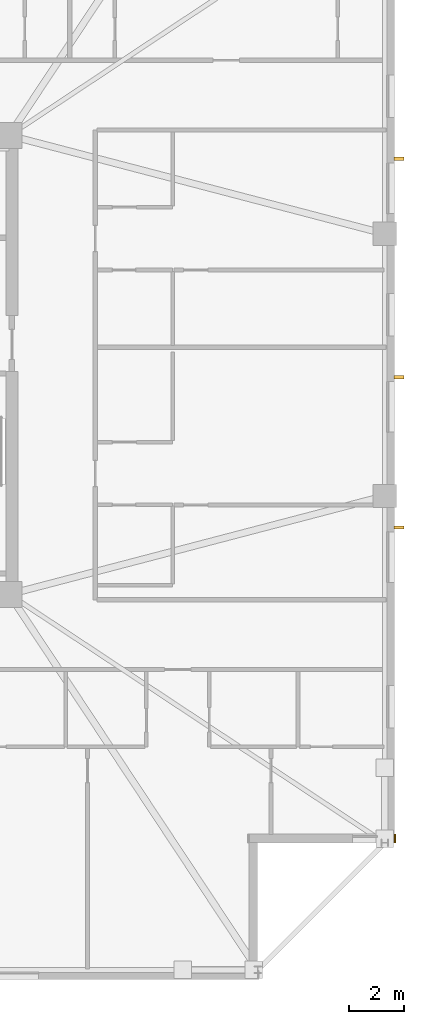
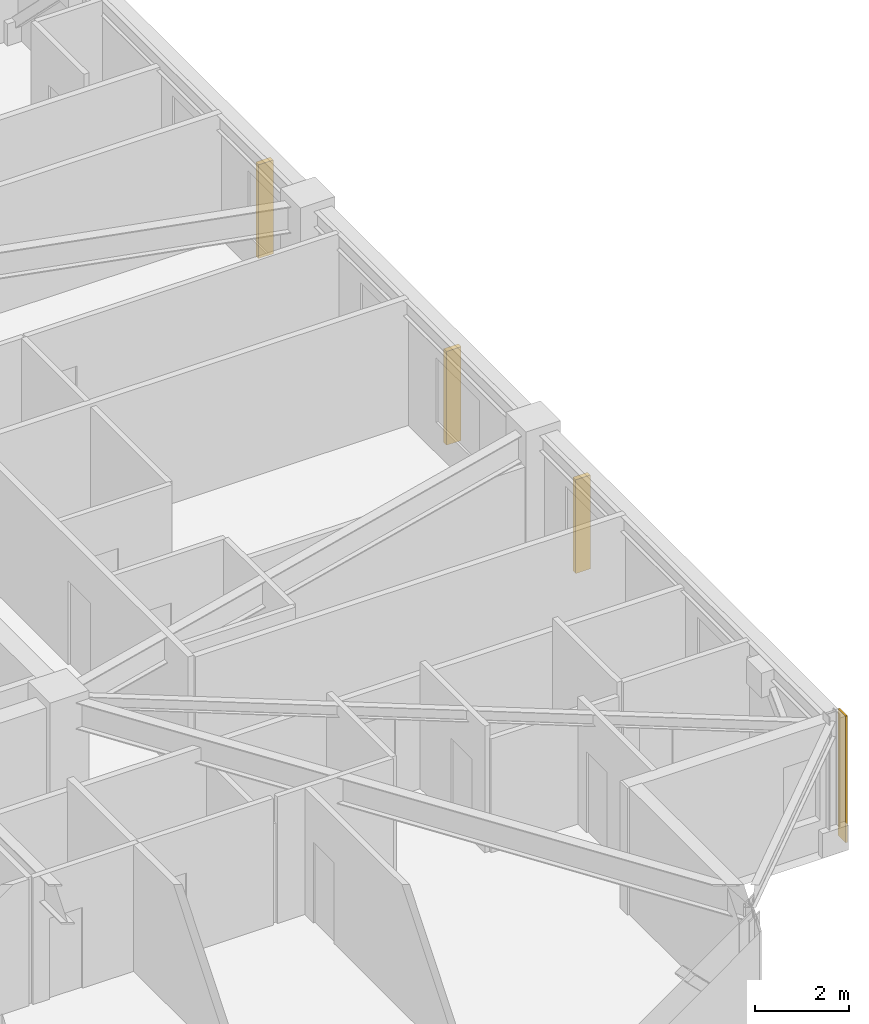
# One storey, part 15 of 17: 3 shading devices, 1 covering.
"""IFC4 building model written with IfcOpenShell, lengths in metres."""

from ifc_helpers import new_model, si_unit, direction, frame, frame_2d, origin, origin_2d, place, context, subcontext, project, spatial, rectangle, extrude, material, layer, layer_set, type_object, element, save


model = new_model("IFC4")

# Units and contexts
model_context = context("Model", 3, precision=1e-05, world=origin(), true_north=direction((0.0, 1.0)))
body_context = subcontext(model_context, "Body", "Model", "MODEL_VIEW")
ifc_project = project(units=[si_unit("LENGTHUNIT", "METRE"), si_unit("AREAUNIT", "SQUARE_METRE"), si_unit("VOLUMEUNIT", "CUBIC_METRE"), si_unit("PLANEANGLEUNIT", "RADIAN"), si_unit("MASSUNIT", "GRAM", prefix="KILO")], contexts=[model_context])

# Site, building, storey
site_placement = place(None, origin())
site = spatial("IfcSite", under=ifc_project, at=site_placement, CompositionType="ELEMENT")
building_placement = place(site_placement, origin())
building = spatial("IfcBuilding", under=site, at=building_placement, Name="Cairnveth Concourse Tower", CompositionType="ELEMENT")
storey_placement = place(building_placement, frame((0.0, 0.0, 258.5)))
storey = spatial("IfcBuildingStorey", under=building, at=storey_placement, Name="L71", CompositionType="ELEMENT", Elevation=258.5)

# Covering
ifc_material_1 = material(Name="Dressed Melbourne Bluestone Cladding", Category="masonry")
ifc_layer = layer(ifc_material_1, 0.050048828125)
ifc_layer_set = layer_set([ifc_layer], Name="Dressed Melbourne Bluestone Cladding")
covering_type = type_object("IfcCoveringType", Name="DRESSED BLUESTONE PLINTH CLADDING 50", PredefinedType="CLADDING", material=ifc_layer_set)
covering_placement = place(storey_placement, frame((74.52001953125, 21.820068359375, 0.0), z_axis=(0.0, 0.0, 1.0), x_axis=(0.0, -1.0, 0.0)))
element("IfcCovering", 1, at=covering_placement, inside=storey, type_object=covering_type, Name="Melbourne Bluestone Corner Quoin L71-1081", PredefinedType="CLADDING", context=body_context, shape_type="SweptSolid", body=[
    extrude(rectangle(XDim=0.320068359375, YDim=0.050048828125, at=frame_2d((0.16015625, 0.0))), origin(), (0.0, 0.0, 1.0), 3.2900390625),
])

# Shading devices
ifc_material_2 = material(Name="Architectural Bronze Anodised Aluminium 6063-T6", Category="aluminium")
shading_device_type = type_object("IfcShadingDeviceType", Name="GOTHIC BRONZE VERTICAL LANCET FIN", PredefinedType="USERDEFINED", material=ifc_material_2)
for number, where, z_axis, x_axis, name in (
    (2, (74.675048828125, 46.546875, 0.030029296875), (0.0, 0.0, 1.0), (0.0, 1.0, 0.0), "Gothic Bronze Vertical Fin L71-9-3"),
    (3, (74.675048828125, 38.54638671875, 0.030029296875), (0.0, 0.0, 1.0), (0.0, 1.0, 0.0), "Gothic Bronze Vertical Fin L71-9-5"),
    (4, (74.675048828125, 33.0458984375, 0.030029296875), (0.0, 0.0, 1.0), (0.0, 1.0, 0.0), "Gothic Bronze Vertical Fin L71-9-7"),
):
    element("IfcShadingDevice", number, at=place(storey_placement, frame(where, z_axis=z_axis, x_axis=x_axis)), inside=storey, type_object=shading_device_type, Name=name, ObjectType="VERTICAL FIN", PredefinedType="USERDEFINED", context=body_context, shape_type="SweptSolid", body=[
        extrude(rectangle(XDim=0.1201171875, YDim=0.360107421875, at=origin_2d()), origin(), (0.0, 0.0, 1.0), 2.43798828125),
    ])

save(model, "model.ifc")
